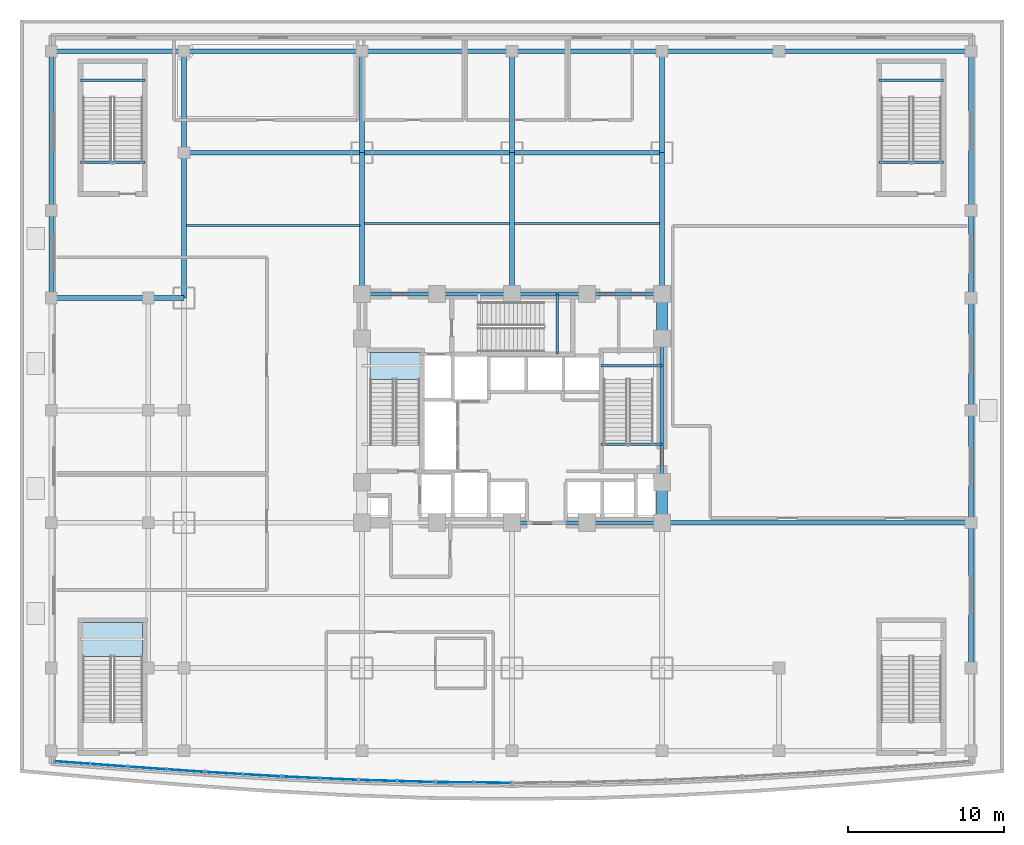
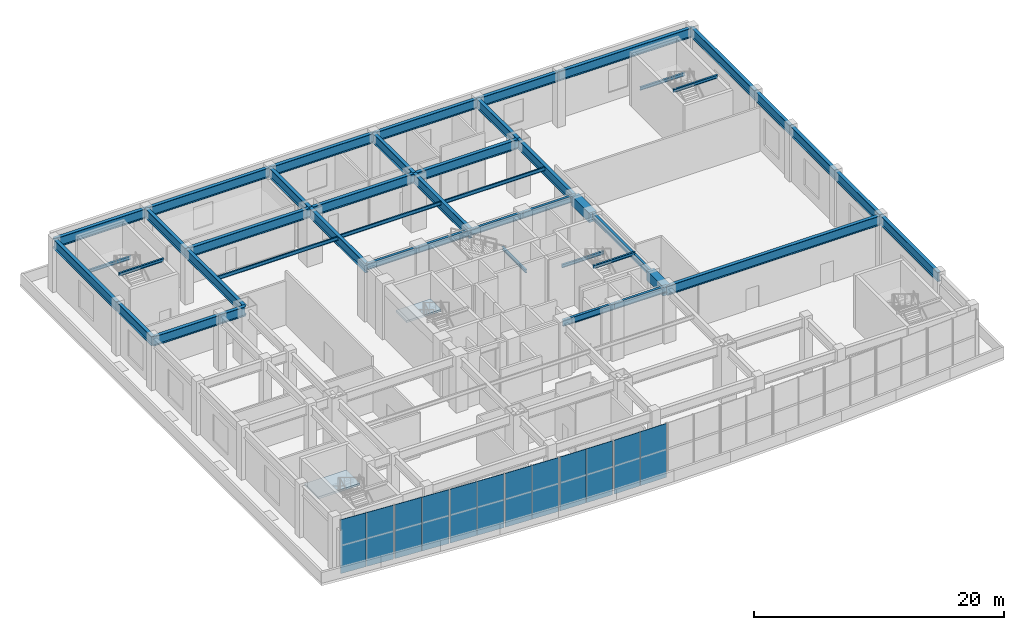
# One storey, part 10 of 24: 46 beams, 12 plates, 2 slabs, 8 elements without a shape of their own.
"""IFC4 building model written with IfcOpenShell, lengths in metres."""

from ifc_helpers import new_model, si_unit, direction, frame, origin, origin_2d, place, context, subcontext, project, spatial, polyline, rectangle, i_section, outline, extrude, material, layer, layer_set, material_profile, profile_set, type_object, element, aggregate, save


model = new_model("IFC4")

# Units and contexts
model_context = context("Model", 3, precision=1e-05, world=origin(), true_north=direction((0.0, 1.0)))
body_context = subcontext(model_context, "Body", "Model", "MODEL_VIEW")
ifc_project = project(units=[si_unit("LENGTHUNIT", "METRE"), si_unit("AREAUNIT", "SQUARE_METRE"), si_unit("VOLUMEUNIT", "CUBIC_METRE"), si_unit("PLANEANGLEUNIT", "RADIAN"), si_unit("MASSUNIT", "GRAM", prefix="KILO")], contexts=[model_context])

# Site, building, storey
site_placement = place(None, origin())
site = spatial("IfcSite", under=ifc_project, at=site_placement, CompositionType="ELEMENT")
building_placement = place(site_placement, origin())
building = spatial("IfcBuilding", under=site, at=building_placement, Name="Vantalir Tower", CompositionType="ELEMENT")
storey_placement = place(building_placement, frame((0.0, 0.0, 16.0)))
storey = spatial("IfcBuildingStorey", under=building, at=storey_placement, Name="L03", CompositionType="ELEMENT", Elevation=16.0)

# Beams
ifc_material_1 = material(Name="Concrete C60/75", Category="concrete")
ifc_material_profile_1 = material_profile(ifc_material_1, rectangle(XDim=0.699951171875, YDim=0.949951171875, at=origin_2d()), Name="Concrete C60/75")
ifc_profile_set_1 = profile_set([ifc_material_profile_1], Name="Concrete C60/75")
beam_type_1 = type_object("IfcBeamType", Name="BM-CB-700x950", PredefinedType="USERDEFINED", material=ifc_profile_set_1)
beam_1_placement = place(storey_placement, frame((41.10009765625, 17.800048828125, 4.77490234375), z_axis=(0.0, 1.0, 0.0), x_axis=(-1.0, 0.0, 0.0)))
element("IfcBeam", 1, at=beam_1_placement, inside=storey, type_object=beam_type_1, Name="L03 Core Coupling Girder 05", ObjectType="GIRDER", PredefinedType="USERDEFINED", context=body_context, shape_type="SweptSolid", body=[
    extrude(rectangle(XDim=0.699951171875, YDim=0.949951171875, at=origin_2d()), origin(), (0.0, 0.0, 1.0), 2.599853515625),
])
beam_2_placement = place(storey_placement, frame((41.10009765625, 29.60009765625, 4.77490234375), z_axis=(0.0, 1.0, 0.0), x_axis=(-1.0, 0.0, 0.0)))
element("IfcBeam", 2, at=beam_2_placement, inside=storey, type_object=beam_type_1, Name="L03 Core Coupling Girder 07", ObjectType="GIRDER", PredefinedType="USERDEFINED", context=body_context, shape_type="SweptSolid", body=[
    extrude(rectangle(XDim=0.699951171875, YDim=0.949951171875, at=origin_2d()), origin(), (0.0, 0.0, 1.0), 2.849853515625),
])
ifc_material_2 = material(Name="Steel S355", Category="steel")
ifc_material_profile_2 = material_profile(ifc_material_2, i_section(OverallWidth=0.166015625, OverallDepth=0.306884765625, WebThickness=0.006591796875, FlangeThickness=0.01171875, at=origin_2d()), Name="Steel S355")
ifc_profile_set_2 = profile_set([ifc_material_profile_2], Name="Steel S355")
beam_type_2 = type_object("IfcBeamType", Name="BM-JS-305x165", PredefinedType="JOIST", material=ifc_profile_set_2)
for number, where, z_axis, x_axis, name in (
    (3, (37.2099609375, 22.8349609375, 5.345947265625), (1.0, 0.0, 0.0), (0.0, 1.0, 0.0), "L04 Stair ST2 Well Nosing Trimmer Beam"),
    (4, (37.2099609375, 27.844970703125, 2.39599609375), (1.0, 0.0, 0.0), (0.0, 1.0, 0.0), "L03 Stair ST2 Half-Landing Support Beam"),
):
    element("IfcBeam", number, at=place(storey_placement, frame(where, z_axis=z_axis, x_axis=x_axis)), inside=storey, type_object=beam_type_2, Name=name, PredefinedType="JOIST", context=body_context, shape_type="SweptSolid", body=[
        extrude(i_section(OverallWidth=0.166015625, OverallDepth=0.306884765625, WebThickness=0.006591796875, FlangeThickness=0.01171875, at=origin_2d()), origin(), (0.0, 0.0, 1.0), 3.89013671875),
    ])
beam_3_placement = place(storey_placement, frame((34.39501953125, 28.60009765625, 2.39599609375), z_axis=(0.0, 1.0, 0.0), x_axis=(-1.0, 0.0, 0.0)))
element("IfcBeam", 5, at=beam_3_placement, inside=storey, type_object=beam_type_2, Name="L03 Stair ST3 Half-Landing Support Beam", PredefinedType="JOIST", context=body_context, shape_type="SweptSolid", body=[
    extrude(i_section(OverallWidth=0.166015625, OverallDepth=0.306884765625, WebThickness=0.006591796875, FlangeThickness=0.01171875, at=origin_2d()), origin(), (0.0, 0.0, 1.0), 3.849853515625),
])
for number, where, z_axis, x_axis, name in (
    (6, (3.860107421875, 40.89501953125, 5.345947265625), (1.0, 0.0, 0.0), (0.0, 1.0, 0.0), "L04 Stair PST1 Well Nosing Trimmer Beam"),
    (7, (3.860107421875, 46.135009765625, 2.39599609375), (1.0, 0.0, 0.0), (0.0, 1.0, 0.0), "L03 Stair PST1 Half-Landing Support Beam"),
    (8, (55.010009765625, 40.89501953125, 5.345947265625), (1.0, 0.0, 0.0), (0.0, 1.0, 0.0), "L04 Stair PST2 Well Nosing Trimmer Beam"),
    (9, (55.010009765625, 46.135009765625, 2.39599609375), (1.0, 0.0, 0.0), (0.0, 1.0, 0.0), "L03 Stair PST2 Half-Landing Support Beam"),
):
    element("IfcBeam", number, at=place(storey_placement, frame(where, z_axis=z_axis, x_axis=x_axis)), inside=storey, type_object=beam_type_2, Name=name, PredefinedType="JOIST", context=body_context, shape_type="SweptSolid", body=[
        extrude(i_section(OverallWidth=0.166015625, OverallDepth=0.306884765625, WebThickness=0.006591796875, FlangeThickness=0.01171875, at=origin_2d()), origin(), (0.0, 0.0, 1.0), 4.1298828125),
    ])
ifc_material_profile_3 = material_profile(ifc_material_2, i_section(OverallWidth=0.1259765625, OverallDepth=0.35302734375, WebThickness=0.006591796875, FlangeThickness=0.0107421875, at=origin_2d()), Name="Steel S355")
ifc_profile_set_3 = profile_set([ifc_material_profile_3], Name="Steel S355")
beam_type_3 = type_object("IfcBeamType", Name="BM-JS-356x127", PredefinedType="JOIST", material=ifc_profile_set_3)
beam_4_placement = place(storey_placement, frame((10.64501953125, 36.85009765625, 5.073974609375), z_axis=(1.0, 0.0, 0.0), x_axis=(0.0, 1.0, 0.0)))
element("IfcBeam", 10, at=beam_4_placement, inside=storey, type_object=beam_type_3, Name="L03 Secondary Composite Joist 02", PredefinedType="JOIST", context=body_context, shape_type="SweptSolid", body=[
    extrude(i_section(OverallWidth=0.1259765625, OverallDepth=0.35302734375, WebThickness=0.006591796875, FlangeThickness=0.0107421875, at=origin_2d()), origin(), (0.0, 0.0, 1.0), 11.10986328125),
])
for number, where, z_axis, x_axis, name in (
    (11, (22.044921875, 36.97509765625, 5.073974609375), (1.0, 0.0, 0.0), (0.0, 1.0, 0.0), "L03 Secondary Composite Joist 04"),
    (12, (31.64501953125, 36.97509765625, 5.073974609375), (1.0, 0.0, 0.0), (0.0, 1.0, 0.0), "L03 Secondary Composite Joist 06"),
):
    element("IfcBeam", number, at=place(storey_placement, frame(where, z_axis=z_axis, x_axis=x_axis)), inside=storey, type_object=beam_type_3, Name=name, PredefinedType="JOIST", context=body_context, shape_type="SweptSolid", body=[
        extrude(i_section(OverallWidth=0.1259765625, OverallDepth=0.35302734375, WebThickness=0.006591796875, FlangeThickness=0.0107421875, at=origin_2d()), origin(), (0.0, 0.0, 1.0), 9.31005859375),
    ])
ifc_material_profile_4 = material_profile(ifc_material_2, i_section(OverallWidth=0.30810546875, OverallDepth=0.927001953125, WebThickness=0.01953125, FlangeThickness=0.031982421875, at=origin_2d()), Name="Steel S355")
ifc_profile_set_4 = profile_set([ifc_material_profile_4], Name="Steel S355")
beam_type_4 = type_object("IfcBeamType", Name="BM-PG-914x305", PredefinedType="USERDEFINED", material=ifc_profile_set_4)
beam_5_placement = place(storey_placement, frame((41.10009765625, 17.800048828125, 4.785888671875), z_axis=(1.0, 0.0, 0.0), x_axis=(0.0, 1.0, 0.0)))
element("IfcBeam", 13, at=beam_5_placement, inside=storey, type_object=beam_type_4, Name="L03 Podium E-W Girder 19", ObjectType="GIRDER", PredefinedType="USERDEFINED", context=body_context, shape_type="SweptSolid", body=[
    extrude(i_section(OverallWidth=0.30810546875, OverallDepth=0.927001953125, WebThickness=0.01953125, FlangeThickness=0.031982421875, at=origin_2d()), origin(), (0.0, 0.0, 1.0), 19.7998046875),
])
beam_6_placement = place(storey_placement, frame((2.0, 32.199951171875, 4.785888671875), z_axis=(1.0, 0.0, 0.0), x_axis=(0.0, 1.0, 0.0)))
element("IfcBeam", 14, at=beam_6_placement, inside=storey, type_object=beam_type_4, Name="L03 Podium E-W Girder 22", ObjectType="GIRDER", PredefinedType="USERDEFINED", context=body_context, shape_type="SweptSolid", body=[
    extrude(i_section(OverallWidth=0.30810546875, OverallDepth=0.927001953125, WebThickness=0.01953125, FlangeThickness=0.031982421875, at=origin_2d()), origin(), (0.0, 0.0, 1.0), 6.199951171875),
])
beam_7_placement = place(storey_placement, frame((8.199951171875, 32.199951171875, 4.785888671875), z_axis=(1.0, 0.0, 0.0), x_axis=(0.0, 1.0, 0.0)))
element("IfcBeam", 15, at=beam_7_placement, inside=storey, type_object=beam_type_4, Name="L03 Podium E-W Girder 23", ObjectType="GIRDER", PredefinedType="USERDEFINED", context=body_context, shape_type="SweptSolid", body=[
    extrude(i_section(OverallWidth=0.30810546875, OverallDepth=0.927001953125, WebThickness=0.01953125, FlangeThickness=0.031982421875, at=origin_2d()), origin(), (0.0, 0.0, 1.0), 2.300048828125),
])
beam_8_placement = place(storey_placement, frame((10.5, 41.5, 4.785888671875), z_axis=(1.0, 0.0, 0.0), x_axis=(0.0, 1.0, 0.0)))
element("IfcBeam", 16, at=beam_8_placement, inside=storey, type_object=beam_type_4, Name="L03 Podium E-W Girder 28", ObjectType="GIRDER", PredefinedType="USERDEFINED", context=body_context, shape_type="SweptSolid", body=[
    extrude(i_section(OverallWidth=0.30810546875, OverallDepth=0.927001953125, WebThickness=0.01953125, FlangeThickness=0.031982421875, at=origin_2d()), origin(), (0.0, 0.0, 1.0), 11.39990234375),
])
for number, where, z_axis, x_axis, name in (
    (17, (21.89990234375, 41.5, 4.785888671875), (1.0, 0.0, 0.0), (0.0, 1.0, 0.0), "L03 Podium E-W Girder 29"),
    (18, (31.5, 41.5, 4.785888671875), (1.0, 0.0, 0.0), (0.0, 1.0, 0.0), "L03 Podium E-W Girder 30"),
):
    element("IfcBeam", number, at=place(storey_placement, frame(where, z_axis=z_axis, x_axis=x_axis)), inside=storey, type_object=beam_type_4, Name=name, ObjectType="GIRDER", PredefinedType="USERDEFINED", context=body_context, shape_type="SweptSolid", body=[
        extrude(i_section(OverallWidth=0.30810546875, OverallDepth=0.927001953125, WebThickness=0.01953125, FlangeThickness=0.031982421875, at=origin_2d()), origin(), (0.0, 0.0, 1.0), 9.60009765625),
    ])
beam_9_placement = place(storey_placement, frame((2.0, 48.0, 4.785888671875), z_axis=(1.0, 0.0, 0.0), x_axis=(0.0, 1.0, 0.0)))
element("IfcBeam", 19, at=beam_9_placement, inside=storey, type_object=beam_type_4, Name="L03 Podium E-W Girder 31", ObjectType="GIRDER", PredefinedType="USERDEFINED", context=body_context, shape_type="SweptSolid", body=[
    extrude(i_section(OverallWidth=0.30810546875, OverallDepth=0.927001953125, WebThickness=0.01953125, FlangeThickness=0.031982421875, at=origin_2d()), origin(), (0.0, 0.0, 1.0), 8.5),
])
beam_10_placement = place(storey_placement, frame((10.5, 48.0, 4.785888671875), z_axis=(1.0, 0.0, 0.0), x_axis=(0.0, 1.0, 0.0)))
element("IfcBeam", 20, at=beam_10_placement, inside=storey, type_object=beam_type_4, Name="L03 Podium E-W Girder 32", ObjectType="GIRDER", PredefinedType="USERDEFINED", context=body_context, shape_type="SweptSolid", body=[
    extrude(i_section(OverallWidth=0.30810546875, OverallDepth=0.927001953125, WebThickness=0.01953125, FlangeThickness=0.031982421875, at=origin_2d()), origin(), (0.0, 0.0, 1.0), 11.39990234375),
])
for number, where, z_axis, x_axis, name in (
    (21, (21.89990234375, 48.0, 4.785888671875), (1.0, 0.0, 0.0), (0.0, 1.0, 0.0), "L03 Podium E-W Girder 33"),
    (22, (31.5, 48.0, 4.785888671875), (1.0, 0.0, 0.0), (0.0, 1.0, 0.0), "L03 Podium E-W Girder 34"),
):
    element("IfcBeam", number, at=place(storey_placement, frame(where, z_axis=z_axis, x_axis=x_axis)), inside=storey, type_object=beam_type_4, Name=name, ObjectType="GIRDER", PredefinedType="USERDEFINED", context=body_context, shape_type="SweptSolid", body=[
        extrude(i_section(OverallWidth=0.30810546875, OverallDepth=0.927001953125, WebThickness=0.01953125, FlangeThickness=0.031982421875, at=origin_2d()), origin(), (0.0, 0.0, 1.0), 9.60009765625),
    ])
beam_11_placement = place(storey_placement, frame((41.10009765625, 48.0, 4.785888671875), z_axis=(1.0, 0.0, 0.0), x_axis=(0.0, 1.0, 0.0)))
element("IfcBeam", 23, at=beam_11_placement, inside=storey, type_object=beam_type_4, Name="L03 Podium E-W Girder 35", ObjectType="GIRDER", PredefinedType="USERDEFINED", context=body_context, shape_type="SweptSolid", body=[
    extrude(i_section(OverallWidth=0.30810546875, OverallDepth=0.927001953125, WebThickness=0.01953125, FlangeThickness=0.031982421875, at=origin_2d()), origin(), (0.0, 0.0, 1.0), 7.5),
])
beam_12_placement = place(storey_placement, frame((48.60009765625, 48.0, 4.785888671875), z_axis=(1.0, 0.0, 0.0), x_axis=(0.0, 1.0, 0.0)))
element("IfcBeam", 24, at=beam_12_placement, inside=storey, type_object=beam_type_4, Name="L03 Podium E-W Girder 36", ObjectType="GIRDER", PredefinedType="USERDEFINED", context=body_context, shape_type="SweptSolid", body=[
    extrude(i_section(OverallWidth=0.30810546875, OverallDepth=0.927001953125, WebThickness=0.01953125, FlangeThickness=0.031982421875, at=origin_2d()), origin(), (0.0, 0.0, 1.0), 12.2998046875),
])
beam_13_placement = place(storey_placement, frame((2.0, 32.199951171875, 4.785888671875), z_axis=(0.0, 1.0, 0.0), x_axis=(-1.0, 0.0, 0.0)))
element("IfcBeam", 25, at=beam_13_placement, inside=storey, type_object=beam_type_4, Name="L03 Podium N-S Girder 41", ObjectType="GIRDER", PredefinedType="USERDEFINED", context=body_context, shape_type="SweptSolid", body=[
    extrude(i_section(OverallWidth=0.30810546875, OverallDepth=0.927001953125, WebThickness=0.01953125, FlangeThickness=0.031982421875, at=origin_2d()), origin(), (0.0, 0.0, 1.0), 5.60009765625),
])
beam_14_placement = place(storey_placement, frame((2.0, 37.800048828125, 4.785888671875), z_axis=(0.0, 1.0, 0.0), x_axis=(-1.0, 0.0, 0.0)))
element("IfcBeam", 26, at=beam_14_placement, inside=storey, type_object=beam_type_4, Name="L03 Podium N-S Girder 42", ObjectType="GIRDER", PredefinedType="USERDEFINED", context=body_context, shape_type="SweptSolid", body=[
    extrude(i_section(OverallWidth=0.30810546875, OverallDepth=0.927001953125, WebThickness=0.01953125, FlangeThickness=0.031982421875, at=origin_2d()), origin(), (0.0, 0.0, 1.0), 10.199951171875),
])
beam_15_placement = place(storey_placement, frame((10.5, 32.199951171875, 4.785888671875), z_axis=(0.0, 1.0, 0.0), x_axis=(-1.0, 0.0, 0.0)))
element("IfcBeam", 27, at=beam_15_placement, inside=storey, type_object=beam_type_4, Name="L03 Podium N-S Girder 50", ObjectType="GIRDER", PredefinedType="USERDEFINED", context=body_context, shape_type="SweptSolid", body=[
    extrude(i_section(OverallWidth=0.30810546875, OverallDepth=0.927001953125, WebThickness=0.01953125, FlangeThickness=0.031982421875, at=origin_2d()), origin(), (0.0, 0.0, 1.0), 9.300048828125),
])
beam_16_placement = place(storey_placement, frame((10.5, 41.5, 4.785888671875), z_axis=(0.0, 1.0, 0.0), x_axis=(-1.0, 0.0, 0.0)))
element("IfcBeam", 28, at=beam_16_placement, inside=storey, type_object=beam_type_4, Name="L03 Podium N-S Girder 51", ObjectType="GIRDER", PredefinedType="USERDEFINED", context=body_context, shape_type="SweptSolid", body=[
    extrude(i_section(OverallWidth=0.30810546875, OverallDepth=0.927001953125, WebThickness=0.01953125, FlangeThickness=0.031982421875, at=origin_2d()), origin(), (0.0, 0.0, 1.0), 6.5),
])
beam_17_placement = place(storey_placement, frame((21.89990234375, 32.449951171875, 4.785888671875), z_axis=(0.0, 1.0, 0.0), x_axis=(-1.0, 0.0, 0.0)))
element("IfcBeam", 29, at=beam_17_placement, inside=storey, type_object=beam_type_4, Name="L03 Podium N-S Girder 57", ObjectType="GIRDER", PredefinedType="USERDEFINED", context=body_context, shape_type="SweptSolid", body=[
    extrude(i_section(OverallWidth=0.30810546875, OverallDepth=0.927001953125, WebThickness=0.01953125, FlangeThickness=0.031982421875, at=origin_2d()), origin(), (0.0, 0.0, 1.0), 9.050048828125),
])
beam_18_placement = place(storey_placement, frame((21.89990234375, 41.5, 4.785888671875), z_axis=(0.0, 1.0, 0.0), x_axis=(-1.0, 0.0, 0.0)))
element("IfcBeam", 30, at=beam_18_placement, inside=storey, type_object=beam_type_4, Name="L03 Podium N-S Girder 58", ObjectType="GIRDER", PredefinedType="USERDEFINED", context=body_context, shape_type="SweptSolid", body=[
    extrude(i_section(OverallWidth=0.30810546875, OverallDepth=0.927001953125, WebThickness=0.01953125, FlangeThickness=0.031982421875, at=origin_2d()), origin(), (0.0, 0.0, 1.0), 6.5),
])
beam_19_placement = place(storey_placement, frame((31.5, 32.449951171875, 4.785888671875), z_axis=(0.0, 1.0, 0.0), x_axis=(-1.0, 0.0, 0.0)))
element("IfcBeam", 31, at=beam_19_placement, inside=storey, type_object=beam_type_4, Name="L03 Podium N-S Girder 61", ObjectType="GIRDER", PredefinedType="USERDEFINED", context=body_context, shape_type="SweptSolid", body=[
    extrude(i_section(OverallWidth=0.30810546875, OverallDepth=0.927001953125, WebThickness=0.01953125, FlangeThickness=0.031982421875, at=origin_2d()), origin(), (0.0, 0.0, 1.0), 9.050048828125),
])
beam_20_placement = place(storey_placement, frame((31.5, 41.5, 4.785888671875), z_axis=(0.0, 1.0, 0.0), x_axis=(-1.0, 0.0, 0.0)))
element("IfcBeam", 32, at=beam_20_placement, inside=storey, type_object=beam_type_4, Name="L03 Podium N-S Girder 62", ObjectType="GIRDER", PredefinedType="USERDEFINED", context=body_context, shape_type="SweptSolid", body=[
    extrude(i_section(OverallWidth=0.30810546875, OverallDepth=0.927001953125, WebThickness=0.01953125, FlangeThickness=0.031982421875, at=origin_2d()), origin(), (0.0, 0.0, 1.0), 6.5),
])
beam_21_placement = place(storey_placement, frame((41.10009765625, 32.449951171875, 4.785888671875), z_axis=(0.0, 1.0, 0.0), x_axis=(-1.0, 0.0, 0.0)))
element("IfcBeam", 33, at=beam_21_placement, inside=storey, type_object=beam_type_4, Name="L03 Podium N-S Girder 68", ObjectType="GIRDER", PredefinedType="USERDEFINED", context=body_context, shape_type="SweptSolid", body=[
    extrude(i_section(OverallWidth=0.30810546875, OverallDepth=0.927001953125, WebThickness=0.01953125, FlangeThickness=0.031982421875, at=origin_2d()), origin(), (0.0, 0.0, 1.0), 9.050048828125),
])
beam_22_placement = place(storey_placement, frame((41.10009765625, 41.5, 4.785888671875), z_axis=(0.0, 1.0, 0.0), x_axis=(-1.0, 0.0, 0.0)))
element("IfcBeam", 34, at=beam_22_placement, inside=storey, type_object=beam_type_4, Name="L03 Podium N-S Girder 69", ObjectType="GIRDER", PredefinedType="USERDEFINED", context=body_context, shape_type="SweptSolid", body=[
    extrude(i_section(OverallWidth=0.30810546875, OverallDepth=0.927001953125, WebThickness=0.01953125, FlangeThickness=0.031982421875, at=origin_2d()), origin(), (0.0, 0.0, 1.0), 6.5),
])
beam_23_placement = place(storey_placement, frame((60.89990234375, 8.5, 4.785888671875), z_axis=(0.0, 1.0, 0.0), x_axis=(-1.0, 0.0, 0.0)))
element("IfcBeam", 35, at=beam_23_placement, inside=storey, type_object=beam_type_4, Name="L03 Podium N-S Girder 72", ObjectType="GIRDER", PredefinedType="USERDEFINED", context=body_context, shape_type="SweptSolid", body=[
    extrude(i_section(OverallWidth=0.30810546875, OverallDepth=0.927001953125, WebThickness=0.01953125, FlangeThickness=0.031982421875, at=origin_2d()), origin(), (0.0, 0.0, 1.0), 9.300048828125),
])
for number, where, z_axis, x_axis, name in (
    (36, (60.89990234375, 17.800048828125, 4.785888671875), (0.0, 1.0, 0.0), (-1.0, 0.0, 0.0), "L03 Podium N-S Girder 73"),
    (37, (60.89990234375, 25.0, 4.785888671875), (0.0, 1.0, 0.0), (-1.0, 0.0, 0.0), "L03 Podium N-S Girder 74"),
):
    element("IfcBeam", number, at=place(storey_placement, frame(where, z_axis=z_axis, x_axis=x_axis)), inside=storey, type_object=beam_type_4, Name=name, ObjectType="GIRDER", PredefinedType="USERDEFINED", context=body_context, shape_type="SweptSolid", body=[
        extrude(i_section(OverallWidth=0.30810546875, OverallDepth=0.927001953125, WebThickness=0.01953125, FlangeThickness=0.031982421875, at=origin_2d()), origin(), (0.0, 0.0, 1.0), 7.199951171875),
    ])
beam_24_placement = place(storey_placement, frame((60.89990234375, 32.199951171875, 4.785888671875), z_axis=(0.0, 1.0, 0.0), x_axis=(-1.0, 0.0, 0.0)))
element("IfcBeam", 38, at=beam_24_placement, inside=storey, type_object=beam_type_4, Name="L03 Podium N-S Girder 75", ObjectType="GIRDER", PredefinedType="USERDEFINED", context=body_context, shape_type="SweptSolid", body=[
    extrude(i_section(OverallWidth=0.30810546875, OverallDepth=0.927001953125, WebThickness=0.01953125, FlangeThickness=0.031982421875, at=origin_2d()), origin(), (0.0, 0.0, 1.0), 5.60009765625),
])
beam_25_placement = place(storey_placement, frame((60.89990234375, 37.800048828125, 4.785888671875), z_axis=(0.0, 1.0, 0.0), x_axis=(-1.0, 0.0, 0.0)))
element("IfcBeam", 39, at=beam_25_placement, inside=storey, type_object=beam_type_4, Name="L03 Podium N-S Girder 76", ObjectType="GIRDER", PredefinedType="USERDEFINED", context=body_context, shape_type="SweptSolid", body=[
    extrude(i_section(OverallWidth=0.30810546875, OverallDepth=0.927001953125, WebThickness=0.01953125, FlangeThickness=0.031982421875, at=origin_2d()), origin(), (0.0, 0.0, 1.0), 10.199951171875),
])
ifc_material_profile_5 = material_profile(ifc_material_2, i_section(OverallWidth=0.22998046875, OverallDepth=0.616943359375, WebThickness=0.01318359375, FlangeThickness=0.022216796875, at=origin_2d()), Name="Steel S355")
ifc_profile_set_5 = profile_set([ifc_material_profile_5], Name="Steel S355")
beam_type_5 = type_object("IfcBeamType", Name="BM-RB-610x229", PredefinedType="BEAM", material=ifc_profile_set_5)
for number, where, z_axis, x_axis, name in (
    (40, (31.5, 17.800048828125, 4.94189453125), (1.0, 0.0, 0.0), (0.0, 1.0, 0.0), "L03 Core Coupling Girder 03"),
    (41, (36.300048828125, 17.800048828125, 4.94189453125), (1.0, 0.0, 0.0), (0.0, 1.0, 0.0), "L03 Core Coupling Girder 04"),
):
    element("IfcBeam", number, at=place(storey_placement, frame(where, z_axis=z_axis, x_axis=x_axis)), inside=storey, type_object=beam_type_5, Name=name, PredefinedType="BEAM", context=body_context, shape_type="SweptSolid", body=[
        extrude(i_section(OverallWidth=0.22998046875, OverallDepth=0.616943359375, WebThickness=0.01318359375, FlangeThickness=0.022216796875, at=origin_2d()), origin(), (0.0, 0.0, 1.0), 4.800048828125),
    ])
beam_26_placement = place(storey_placement, frame((41.10009765625, 20.39990234375, 4.94189453125), z_axis=(0.0, 1.0, 0.0), x_axis=(-1.0, 0.0, 0.0)))
element("IfcBeam", 42, at=beam_26_placement, inside=storey, type_object=beam_type_5, Name="L03 Core Coupling Girder 06", PredefinedType="BEAM", context=body_context, shape_type="SweptSolid", body=[
    extrude(i_section(OverallWidth=0.22998046875, OverallDepth=0.616943359375, WebThickness=0.01318359375, FlangeThickness=0.022216796875, at=origin_2d()), origin(), (0.0, 0.0, 1.0), 9.2001953125),
])
for number, where, z_axis, x_axis, name in (
    (43, (41.10009765625, 32.449951171875, 4.94189453125), (-1.0, 0.0, 0.0), (0.0, -1.0, 0.0), "L03 Core Coupling Girder 08"),
    (44, (36.300048828125, 32.449951171875, 4.94189453125), (-1.0, 0.0, 0.0), (0.0, -1.0, 0.0), "L03 Core Coupling Girder 09"),
    (45, (31.5, 32.449951171875, 4.94189453125), (-1.0, 0.0, 0.0), (0.0, -1.0, 0.0), "L03 Core Coupling Girder 10"),
    (46, (26.699951171875, 32.449951171875, 4.94189453125), (-1.0, 0.0, 0.0), (0.0, -1.0, 0.0), "L03 Core Coupling Girder 11"),
):
    element("IfcBeam", number, at=place(storey_placement, frame(where, z_axis=z_axis, x_axis=x_axis)), inside=storey, type_object=beam_type_5, Name=name, PredefinedType="BEAM", context=body_context, shape_type="SweptSolid", body=[
        extrude(i_section(OverallWidth=0.22998046875, OverallDepth=0.616943359375, WebThickness=0.01318359375, FlangeThickness=0.022216796875, at=origin_2d()), origin(), (0.0, 0.0, 1.0), 4.800048828125),
    ])

# Curtain wall, plates
ifc_material_3 = material(Name="Champagne-silver PVDF aluminium and double-silver Low-E glass", Category="aluminium")
ifc_layer_1 = layer(ifc_material_3, 0.239990234375)
ifc_layer_set_1 = layer_set([ifc_layer_1], Name="Champagne-silver PVDF aluminium and double-silver Low-E glass")
curtain_wall_type = type_object("IfcCurtainWallType", Name="CW-PODIUM-WF", PredefinedType="USERDEFINED", material=ifc_layer_set_1)
curtain_wall_1_placement = place(storey_placement, origin())
curtain_wall_1 = element("IfcCurtainWall", 47, at=curtain_wall_1_placement, inside=storey, type_object=curtain_wall_type, Name="L03 Waterfront Stick Curtain Wall 01", ObjectType="STICK CURTAIN WALL", PredefinedType="USERDEFINED")
ifc_material_4 = material(Name="Laminated waterfront podium glass IGU", Category="glass")
ifc_layer_2 = layer(ifc_material_4, 0.0400390625)
ifc_layer_set_2 = layer_set([ifc_layer_2], Name="Laminated waterfront podium glass IGU")
plate_type = type_object("IfcPlateType", Name="CWP-IGU-POD-40", PredefinedType="CURTAIN_PANEL", material=ifc_layer_set_2)
plate_1_placement = place(storey_placement, frame((3.319091796875, 2.443115234375, -0.008056640625), z_axis=(0.0, 0.0, 1.0), x_axis=(0.99730039812, -0.073429666411, 0.0)))
plate_1 = element("IfcPlate", 48, at=plate_1_placement, type_object=plate_type, Name="CW-L03-WF-01 Glazed Panel 1", PredefinedType="CURTAIN_PANEL", context=body_context, shape_type="SweptSolid", body=[
    extrude(rectangle(XDim=2.264892578125, YDim=0.0400390625, at=origin_2d()), origin(), (0.0, 0.0, 1.0), 5.26611328125),
])
plate_2_placement = place(storey_placement, frame((5.6630859375, 2.27001953125, -0.008056640625), z_axis=(0.0, 0.0, 1.0), x_axis=(0.99730039812, -0.073429666411, 0.0)))
plate_2 = element("IfcPlate", 49, at=plate_2_placement, type_object=plate_type, Name="CW-L03-WF-01 Glazed Panel 2", PredefinedType="CURTAIN_PANEL", context=body_context, shape_type="SweptSolid", body=[
    extrude(rectangle(XDim=2.39501953125, YDim=0.0400390625, at=origin_2d()), origin(), (0.0, 0.0, 1.0), 5.26611328125),
])
aggregate(curtain_wall_1, [plate_1, plate_2])

curtain_wall_2_placement = place(storey_placement, origin())
curtain_wall_2 = element("IfcCurtainWall", 50, at=curtain_wall_2_placement, inside=storey, type_object=curtain_wall_type, Name="L03 Waterfront Stick Curtain Wall 02", ObjectType="STICK CURTAIN WALL", PredefinedType="USERDEFINED")
plate_3_placement = place(storey_placement, frame((8.1708984375, 2.092041015625, -0.008056640625), z_axis=(0.0, 0.0, 1.0), x_axis=(0.997644939362, -0.068589904246, 0.0)))
plate_3 = element("IfcPlate", 51, at=plate_3_placement, type_object=plate_type, Name="CW-L03-WF-02 Glazed Panel 1", PredefinedType="CURTAIN_PANEL", context=body_context, shape_type="SweptSolid", body=[
    extrude(rectangle(XDim=2.39404296875, YDim=0.0400390625, at=origin_2d()), origin(), (0.0, 0.0, 1.0), 5.26611328125),
])
plate_4_placement = place(storey_placement, frame((10.5791015625, 1.926025390625, -0.008056640625), z_axis=(0.0, 0.0, 1.0), x_axis=(0.997644939362, -0.068589904246, 0.0)))
plate_4 = element("IfcPlate", 52, at=plate_4_placement, type_object=plate_type, Name="CW-L03-WF-02 Glazed Panel 2", PredefinedType="CURTAIN_PANEL", context=body_context, shape_type="SweptSolid", body=[
    extrude(rectangle(XDim=2.39404296875, YDim=0.0400390625, at=origin_2d()), origin(), (0.0, 0.0, 1.0), 5.26611328125),
])
aggregate(curtain_wall_2, [plate_3, plate_4])

curtain_wall_3_placement = place(storey_placement, origin())
curtain_wall_3 = element("IfcCurtainWall", 53, at=curtain_wall_3_placement, inside=storey, type_object=curtain_wall_type, Name="L03 Waterfront Stick Curtain Wall 03", ObjectType="STICK CURTAIN WALL", PredefinedType="USERDEFINED")
plate_5_placement = place(storey_placement, frame((13.0869140625, 1.76611328125, -0.008056640625), z_axis=(0.0, 0.0, 1.0), x_axis=(0.998265610185, -0.058870803651, 0.0)))
plate_5 = element("IfcPlate", 54, at=plate_5_placement, type_object=plate_type, Name="CW-L03-WF-03 Glazed Panel 1", PredefinedType="CURTAIN_PANEL", context=body_context, shape_type="SweptSolid", body=[
    extrude(rectangle(XDim=2.39306640625, YDim=0.0400390625, at=origin_2d()), origin(), (0.0, 0.0, 1.0), 5.26611328125),
])
plate_6_placement = place(storey_placement, frame((15.49609375, 1.6240234375, -0.008056640625), z_axis=(0.0, 0.0, 1.0), x_axis=(0.998265610185, -0.058870803651, 0.0)))
plate_6 = element("IfcPlate", 55, at=plate_6_placement, type_object=plate_type, Name="CW-L03-WF-03 Glazed Panel 2", PredefinedType="CURTAIN_PANEL", context=body_context, shape_type="SweptSolid", body=[
    extrude(rectangle(XDim=2.39306640625, YDim=0.0400390625, at=origin_2d()), origin(), (0.0, 0.0, 1.0), 5.26611328125),
])
aggregate(curtain_wall_3, [plate_5, plate_6])

curtain_wall_4_placement = place(storey_placement, origin())
curtain_wall_4 = element("IfcCurtainWall", 56, at=curtain_wall_4_placement, inside=storey, type_object=curtain_wall_type, Name="L03 Waterfront Stick Curtain Wall 04", ObjectType="STICK CURTAIN WALL", PredefinedType="USERDEFINED")
plate_7_placement = place(storey_placement, frame((18.00390625, 1.492919921875, -0.008056640625), z_axis=(0.0, 0.0, 1.0), x_axis=(0.998982411559, -0.045101456694, 0.0)))
plate_7 = element("IfcPlate", 57, at=plate_7_placement, type_object=plate_type, Name="CW-L03-WF-04 Glazed Panel 1", PredefinedType="CURTAIN_PANEL", context=body_context, shape_type="SweptSolid", body=[
    extrude(rectangle(XDim=2.39111328125, YDim=0.0400390625, at=origin_2d()), origin(), (0.0, 0.0, 1.0), 5.26611328125),
])
plate_8_placement = place(storey_placement, frame((20.4130859375, 1.385009765625, -0.008056640625), z_axis=(0.0, 0.0, 1.0), x_axis=(0.998982411559, -0.045101456694, 0.0)))
plate_8 = element("IfcPlate", 58, at=plate_8_placement, type_object=plate_type, Name="CW-L03-WF-04 Glazed Panel 2", PredefinedType="CURTAIN_PANEL", context=body_context, shape_type="SweptSolid", body=[
    extrude(rectangle(XDim=2.39111328125, YDim=0.0400390625, at=origin_2d()), origin(), (0.0, 0.0, 1.0), 5.26611328125),
])
aggregate(curtain_wall_4, [plate_7, plate_8])

curtain_wall_5_placement = place(storey_placement, origin())
curtain_wall_5 = element("IfcCurtainWall", 59, at=curtain_wall_5_placement, inside=storey, type_object=curtain_wall_type, Name="L03 Waterfront Stick Curtain Wall 05", ObjectType="STICK CURTAIN WALL", PredefinedType="USERDEFINED")
plate_9_placement = place(storey_placement, frame((22.9208984375, 1.2919921875, -0.008056640625), z_axis=(0.0, 0.0, 1.0), x_axis=(0.999594861669, -0.02846247573, 0.0)))
plate_9 = element("IfcPlate", 60, at=plate_9_placement, type_object=plate_type, Name="CW-L03-WF-05 Glazed Panel 1", PredefinedType="CURTAIN_PANEL", context=body_context, shape_type="SweptSolid", body=[
    extrude(rectangle(XDim=2.388916015625, YDim=0.0400390625, at=origin_2d()), origin(), (0.0, 0.0, 1.0), 5.26611328125),
])
plate_10_placement = place(storey_placement, frame((25.3291015625, 1.22412109375, -0.008056640625), z_axis=(0.0, 0.0, 1.0), x_axis=(0.999594861669, -0.02846247573, 0.0)))
plate_10 = element("IfcPlate", 61, at=plate_10_placement, type_object=plate_type, Name="CW-L03-WF-05 Glazed Panel 2", PredefinedType="CURTAIN_PANEL", context=body_context, shape_type="SweptSolid", body=[
    extrude(rectangle(XDim=2.388916015625, YDim=0.0400390625, at=origin_2d()), origin(), (0.0, 0.0, 1.0), 5.26611328125),
])
aggregate(curtain_wall_5, [plate_9, plate_10])

curtain_wall_6_placement = place(storey_placement, origin())
curtain_wall_6 = element("IfcCurtainWall", 62, at=curtain_wall_6_placement, inside=storey, type_object=curtain_wall_type, Name="L03 Waterfront Stick Curtain Wall 06", ObjectType="STICK CURTAIN WALL", PredefinedType="USERDEFINED")
plate_11_placement = place(storey_placement, frame((27.8369140625, 1.176025390625, -0.008056640625), z_axis=(0.0, 0.0, 1.0), x_axis=(0.9999524068, -0.009756235739, 0.0)))
plate_11 = element("IfcPlate", 63, at=plate_11_placement, type_object=plate_type, Name="CW-L03-WF-06 Glazed Panel 1", PredefinedType="CURTAIN_PANEL", context=body_context, shape_type="SweptSolid", body=[
    extrude(rectangle(XDim=2.388916015625, YDim=0.0400390625, at=origin_2d()), origin(), (0.0, 0.0, 1.0), 5.26611328125),
])
plate_12_placement = place(storey_placement, frame((30.24609375, 1.152099609375, -0.008056640625), z_axis=(0.0, 0.0, 1.0), x_axis=(0.9999524068, -0.009756235739, 0.0)))
plate_12 = element("IfcPlate", 64, at=plate_12_placement, type_object=plate_type, Name="CW-L03-WF-06 Glazed Panel 2", PredefinedType="CURTAIN_PANEL", context=body_context, shape_type="SweptSolid", body=[
    extrude(rectangle(XDim=2.388916015625, YDim=0.0400390625, at=origin_2d()), origin(), (0.0, 0.0, 1.0), 5.26611328125),
])
aggregate(curtain_wall_6, [plate_11, plate_12])

# Stair, slab
ifc_material_5 = material(Name="Concrete C40/50", Category="concrete")
stair_type_1 = type_object("IfcStairType", Name="STR-CORE-1450", PredefinedType="HALF_TURN_STAIR", material=ifc_material_5)
stair_1_placement = place(storey_placement, origin())
stair_1 = element("IfcStair", 65, at=stair_1_placement, inside=storey, type_object=stair_type_1, Name="L03 Core Exit Stair 1", PredefinedType="HALF_TURN_STAIR")
ifc_layer_3 = layer(ifc_material_5, 0.199951171875)
ifc_layer_set_3 = layer_set([ifc_layer_3], Name="Concrete C40/50")
slab_type = type_object("IfcSlabType", Name="SL-LAND-200", PredefinedType="LANDING", material=ifc_layer_set_3)
slab_1_placement = place(storey_placement, frame((0.0, 0.0, 2.550048828125)))
slab_1 = element("IfcSlab", 66, at=slab_1_placement, type_object=slab_type, Name="ST1 landing 1", PredefinedType="LANDING", context=body_context, shape_type="SweptSolid", body=[
    extrude(outline(polyline([(25.60009765625, 26.989990234375), (25.60009765625, 28.699951171875), (22.39990234375, 28.699951171875), (22.39990234375, 26.989990234375), (25.60009765625, 26.989990234375)])), origin(), (0.0, 0.0, 1.0), 0.199951171875),
])
aggregate(stair_1, [slab_1])

stair_type_2 = type_object("IfcStairType", Name="STR-POD-1550", PredefinedType="HALF_TURN_STAIR", material=ifc_material_5)
stair_2_placement = place(storey_placement, origin())
stair_2 = element("IfcStair", 67, at=stair_2_placement, inside=storey, type_object=stair_type_2, Name="L03 Podium Exit Stair 3", PredefinedType="HALF_TURN_STAIR")
slab_2_placement = place(storey_placement, frame((0.0, 0.0, 2.550048828125)))
slab_2 = element("IfcSlab", 68, at=slab_2_placement, type_object=slab_type, Name="PST3 landing 1", PredefinedType="LANDING", context=body_context, shape_type="SweptSolid", body=[
    extrude(outline(polyline([(7.85009765625, 9.25), (7.85009765625, 11.419921875), (4.0, 11.419921875), (4.0, 9.25), (7.85009765625, 9.25)])), origin(), (0.0, 0.0, 1.0), 0.199951171875),
])
aggregate(stair_2, [slab_2])

save(model, "model.ifc")
